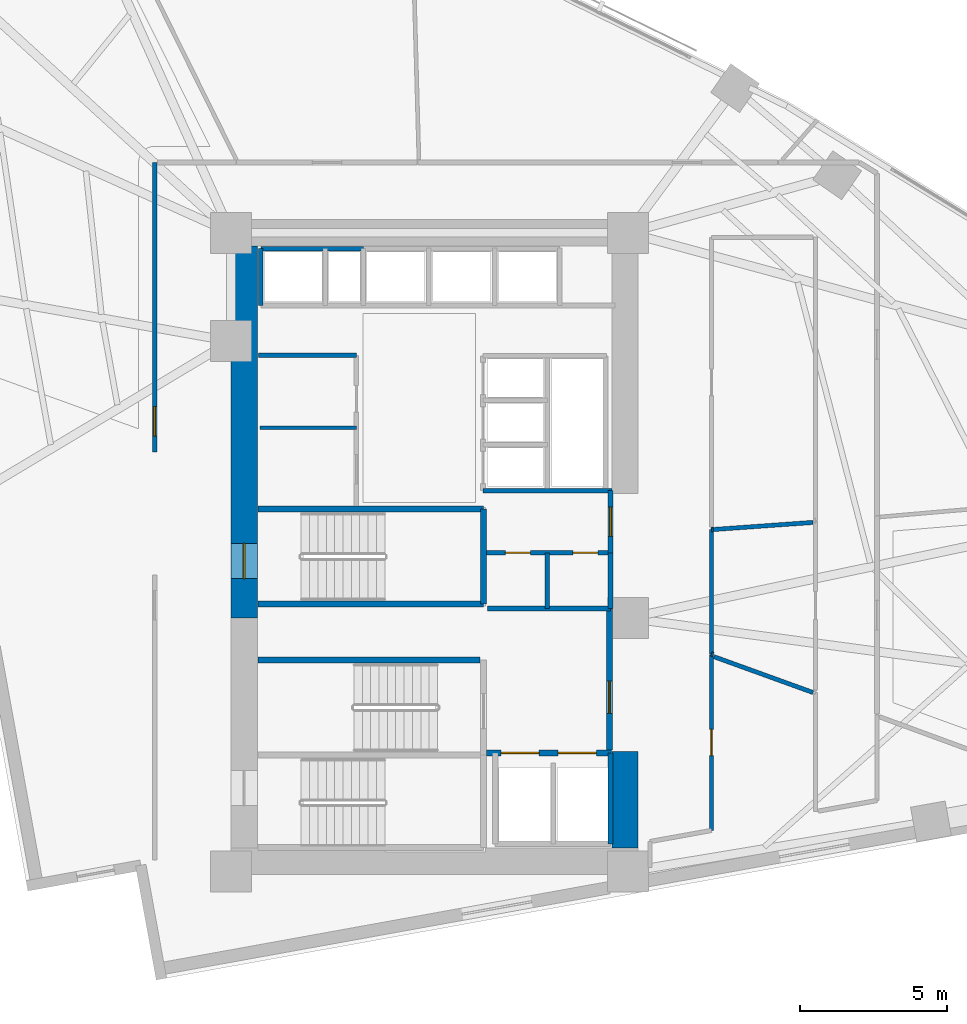
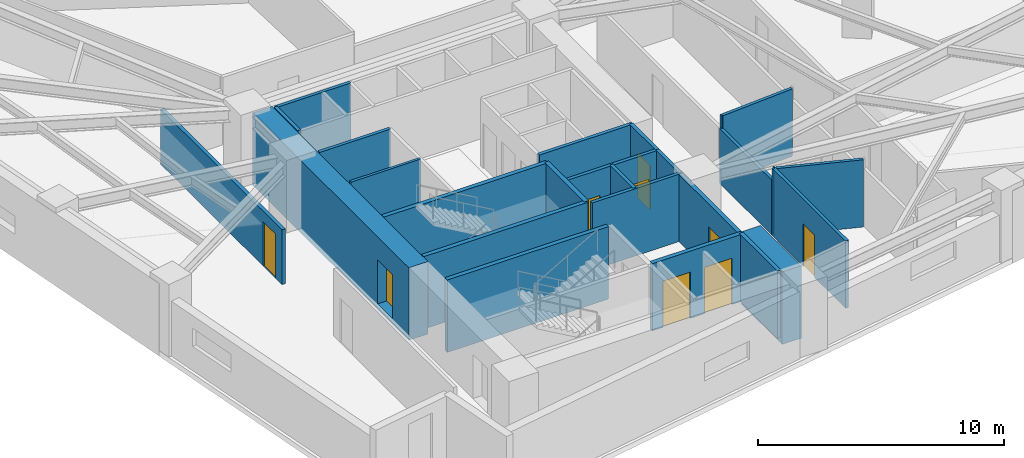
# One storey, part 13 of 18: 26 walls, 9 doors, 9 openings.
"""IFC4 building model written with IfcOpenShell, lengths in metres."""

from ifc_helpers import new_model, si_unit, direction, frame, frame_2d, origin, place, context, subcontext, project, spatial, rectangle, extrude, material, layer, layer_set, type_object, element, fill, save


model = new_model("IFC4")

# Units and contexts
model_context = context("Model", 3, precision=1e-05, world=origin(), true_north=direction((0.0, 1.0)))
body_context = subcontext(model_context, "Body", "Model", "MODEL_VIEW")
ifc_project = project(units=[si_unit("LENGTHUNIT", "METRE"), si_unit("AREAUNIT", "SQUARE_METRE"), si_unit("VOLUMEUNIT", "CUBIC_METRE"), si_unit("PLANEANGLEUNIT", "RADIAN"), si_unit("MASSUNIT", "GRAM", prefix="KILO")], contexts=[model_context])

# Site, building, storey
site_placement = place(None, origin())
site = spatial("IfcSite", under=ifc_project, at=site_placement, CompositionType="ELEMENT")
building_placement = place(site_placement, origin())
building = spatial("IfcBuilding", under=site, at=building_placement, Name="Narakoshi Arena Tower", CompositionType="ELEMENT")
storey_placement = place(building_placement, frame((0.0, 0.0, 120.89990234375)))
storey = spatial("IfcBuildingStorey", under=building, at=storey_placement, Name="L32", CompositionType="ELEMENT", Elevation=120.89990234375)

# Wall
ifc_material_1 = material(Name="Concrete C60/75", Category="concrete")
ifc_layer_1 = layer(ifc_material_1, 0.89990234375)
ifc_layer_set_1 = layer_set([ifc_layer_1], Name="Concrete C60/75")
wall_type_1 = type_object("IfcWallType", Name="WL-CORE-900", PredefinedType="SHEAR", material=ifc_layer_set_1)
wall_1_placement = place(storey_placement, frame((85.449951171875, 35.5, -0.260009765625), z_axis=(0.0, 0.0, 1.0), x_axis=(0.0, 1.0, 0.0)))
element("IfcWall", 1, at=wall_1_placement, inside=storey, type_object=wall_type_1, Name="L32 Central Core Shear Wall CW-APX-E", PredefinedType="SHEAR", context=body_context, shape_type="SweptSolid", body=[
    extrude(rectangle(XDim=3.300048828125, YDim=0.89990234375, at=frame_2d((1.64990234375, 0.0))), origin(), (0.0, 0.0, 1.0), 3.60009765625),
])

# Wall, opening, door
wall_2_placement = place(storey_placement, frame((72.449951171875, 43.35009765625, -0.260009765625), z_axis=(0.0, 0.0, 1.0), x_axis=(0.0, 1.0, 0.0)))
wall_2 = element("IfcWall", 2, at=wall_2_placement, inside=storey, type_object=wall_type_1, Name="L32 Main Core Shear Wall CW-MN-W", PredefinedType="SHEAR", context=body_context, shape_type="SweptSolid", body=[
    extrude(rectangle(XDim=12.699951171875, YDim=0.89990234375, at=frame_2d((6.35009765625, 0.0))), origin(), (0.0, 0.0, 1.0), 3.60009765625),
])
opening_1_placement = place(wall_2_placement, frame((1.35009765625, 0.0, 0.260009765625)))
opening_1 = element("IfcOpeningElement", 3, at=opening_1_placement, cuts=wall_2, Name="Opening D-03", PredefinedType="OPENING", context=body_context, shape_type="SweptSolid", body=[
    extrude(rectangle(XDim=1.199951171875, YDim=2.199951171875, at=frame_2d((0.60009765625, 1.10009765625))), frame((0.0, 0.4599609375, 0.0), z_axis=(0.0, -1.0, 0.0), x_axis=(1.0, 0.0, 0.0)), (0.0, 0.0, 1.0), 0.919921875),
])
ifc_material_2 = material(Name="Painted galvanized steel", Category="steel")
door_type_1 = type_object("IfcDoorType", Name="DR-STR-1200", OperationType="NOTDEFINED", PredefinedType="USERDEFINED", material=ifc_material_2)
door_1_placement = place(opening_1_placement, frame((1.199951171875, 0.0, 0.0), z_axis=(0.0, 0.0, 1.0), x_axis=(-1.0, 0.0, 0.0)))
door_1 = element("IfcDoor", 4, at=door_1_placement, inside=storey, type_object=door_type_1, Name="DR-L32-006", ObjectType="EXITDOOR", OperationType="SINGLE_SWING_LEFT", OverallHeight=2.199951171875, OverallWidth=1.199951171875, PredefinedType="USERDEFINED", context=body_context, shape_type="SweptSolid", body=[
    extrude(rectangle(XDim=1.199951171875, YDim=2.199951171875, at=frame_2d((0.60009765625, 1.10009765625))), frame((0.0, 0.02490234375, 0.0), z_axis=(0.0, -1.0, 0.0), x_axis=(1.0, 0.0, 0.0)), (0.0, 0.0, 1.0), 0.050048828125),
])
fill(opening_1, door_1)

ifc_material_3 = material(Name="Gypsum plasterboard fire-rated partition")
ifc_layer_2 = layer(ifc_material_3, 0.1650390625)
ifc_layer_set_2 = layer_set([ifc_layer_2], Name="Gypsum plasterboard fire-rated partition")
wall_type_2 = type_object("IfcWallType", Name="WL-CORR-165", PredefinedType="PARTITIONING", material=ifc_layer_set_2)
wall_3_placement = place(storey_placement, frame((84.949951171875, 45.580078125, 0.0), z_axis=(0.0, 0.0, 1.0), x_axis=(0.0, 1.0, 0.0)))
wall_3 = element("IfcWall", 5, at=wall_3_placement, inside=storey, type_object=wall_type_2, Name="L32 Core Wall CPAS-E", PredefinedType="PARTITIONING", context=body_context, shape_type="SweptSolid", body=[
    extrude(rectangle(XDim=2.119873046875, YDim=0.1650390625, at=frame_2d((1.06005859375, 0.0))), origin(), (0.0, 0.0, 1.0), 3.340087890625),
])
opening_2_placement = place(wall_3_placement, frame((0.56005859375, 0.0, 0.0)))
opening_2 = element("IfcOpeningElement", 6, at=opening_2_placement, cuts=wall_3, Name="Opening D-06", PredefinedType="OPENING", context=body_context, shape_type="SweptSolid", body=[
    extrude(rectangle(XDim=1.0, YDim=2.199951171875, at=frame_2d((0.5, 1.10009765625))), frame((0.0, 0.092529296875, 0.0), z_axis=(0.0, -1.0, 0.0), x_axis=(1.0, 0.0, 0.0)), (0.0, 0.0, 1.0), 0.18505859375),
])
ifc_material_4 = material(Name="Stained oak solid-core timber", Category="wood")
door_type_2 = type_object("IfcDoorType", Name="DR-OFF-1000", OperationType="NOTDEFINED", PredefinedType="DOOR", material=ifc_material_4)
door_2_placement = place(opening_2_placement, frame((1.0, 0.0, 0.0), z_axis=(0.0, 0.0, 1.0), x_axis=(-1.0, 0.0, 0.0)))
door_2 = element("IfcDoor", 7, at=door_2_placement, inside=storey, type_object=door_type_2, Name="DR-L32-007", OperationType="SINGLE_SWING_LEFT", OverallHeight=2.199951171875, OverallWidth=1.0, PredefinedType="DOOR", context=body_context, shape_type="SweptSolid", body=[
    extrude(rectangle(XDim=1.0, YDim=2.199951171875, at=frame_2d((0.5, 1.10009765625))), frame((0.0, 0.02490234375, 0.0), z_axis=(0.0, -1.0, 0.0), x_axis=(1.0, 0.0, 0.0)), (0.0, 0.0, 1.0), 0.050048828125),
])
fill(opening_2, door_2)

wall_4_placement = place(storey_placement, frame((69.39990234375, 58.89990234375, 0.0), z_axis=(0.0, 0.0, 1.0), x_axis=(0.0, -1.0, 0.0)))
wall_4 = element("IfcWall", 8, at=wall_4_placement, inside=storey, type_object=wall_type_2, Name="L32 Corridor Partition 09-1", PredefinedType="PARTITIONING", context=body_context, shape_type="SweptSolid", body=[
    extrude(rectangle(XDim=9.875, YDim=0.1650390625, at=frame_2d((4.9375, 0.0))), origin(), (0.0, 0.0, 1.0), 2.72509765625),
])
opening_3_placement = place(wall_4_placement, frame((8.336181640625, 0.0, 0.0)))
opening_3 = element("IfcOpeningElement", 9, at=opening_3_placement, cuts=wall_4, Name="Opening D-06", PredefinedType="OPENING", context=body_context, shape_type="SweptSolid", body=[
    extrude(rectangle(XDim=1.0, YDim=2.199951171875, at=frame_2d((0.5, 1.10009765625))), frame((0.0, 0.092529296875, 0.0), z_axis=(0.0, -1.0, 0.0), x_axis=(1.0, 0.0, 0.0)), (0.0, 0.0, 1.0), 0.18505859375),
])
door_3_placement = place(opening_3_placement, frame((1.0, 0.0, 0.0), z_axis=(0.0, 0.0, 1.0), x_axis=(-1.0, 0.0, 0.0)))
door_3 = element("IfcDoor", 10, at=door_3_placement, inside=storey, type_object=door_type_2, Name="DR-L32-023", OperationType="SINGLE_SWING_RIGHT", OverallHeight=2.199951171875, OverallWidth=1.0, PredefinedType="DOOR", context=body_context, shape_type="SweptSolid", body=[
    extrude(rectangle(XDim=1.0, YDim=2.199951171875, at=frame_2d((0.5, 1.10009765625))), frame((0.0, 0.02490234375, 0.0), z_axis=(0.0, -1.0, 0.0), x_axis=(1.0, 0.0, 0.0)), (0.0, 0.0, 1.0), 0.050048828125),
])
fill(opening_3, door_3)

# Walls
ifc_layer_3 = layer(ifc_material_3, 0.125)
ifc_layer_set_3 = layer_set([ifc_layer_3], Name="Gypsum plasterboard fire-rated partition")
wall_type_3 = type_object("IfcWallType", Name="WL-PART-125", PredefinedType="PARTITIONING", material=ifc_layer_set_3)
wall_5_placement = place(storey_placement, frame((73.0, 49.85009765625, 0.0), z_axis=(0.0, 0.0, 1.0), x_axis=(1.0, 0.0, 0.0)))
element("IfcWall", 11, at=wall_5_placement, inside=storey, type_object=wall_type_3, Name="L32 Core Wall RCL-LR-D0", PredefinedType="PARTITIONING", context=body_context, shape_type="SweptSolid", body=[
    extrude(rectangle(XDim=3.280029296875, YDim=0.125, at=frame_2d((1.64013671875, 0.0))), origin(), (0.0, 0.0, 1.0), 3.340087890625),
])
ifc_material_5 = material(Name="Concrete C40/50", Category="concrete")
ifc_layer_4 = layer(ifc_material_5, 0.280029296875)
ifc_layer_set_4 = layer_set([ifc_layer_4], Name="Concrete C40/50")
wall_type_4 = type_object("IfcWallType", Name="WL-RISER-280", PredefinedType="PLUMBINGWALL", material=ifc_layer_set_4)
wall_6_placement = place(storey_placement, frame((84.949951171875, 43.679931640625, 0.0), z_axis=(0.0, 0.0, 1.0), x_axis=(0.0, 1.0, 0.0)))
element("IfcWall", 12, at=wall_6_placement, inside=storey, type_object=wall_type_4, Name="L32 Core Wall RSR-E", PredefinedType="PLUMBINGWALL", context=body_context, shape_type="SweptSolid", body=[
    extrude(rectangle(XDim=1.900146484375, YDim=0.1650390625, at=frame_2d((0.9501953125, 0.0))), origin(), (0.0, 0.0, 1.0), 3.340087890625),
])

# Wall, openings, doors
wall_7_placement = place(storey_placement, frame((80.719970703125, 45.580078125, 0.0), z_axis=(0.0, 0.0, 1.0), x_axis=(1.0, 0.0, 0.0)))
wall_7 = element("IfcWall", 13, at=wall_7_placement, inside=storey, type_object=wall_type_4, Name="L32 Core Wall RSR-N", PredefinedType="PLUMBINGWALL", context=body_context, shape_type="SweptSolid", body=[
    extrude(rectangle(XDim=4.22998046875, YDim=0.159912109375, at=frame_2d((2.114990234375, 0.0))), origin(), (0.0, 0.0, 1.0), 3.340087890625),
])
opening_4_placement = place(wall_7_placement, frame((0.64990234375, 0.0, 0.0)))
opening_4 = element("IfcOpeningElement", 14, at=opening_4_placement, cuts=wall_7, Name="Opening D-10", PredefinedType="OPENING", context=body_context, shape_type="SweptSolid", body=[
    extrude(rectangle(XDim=0.85009765625, YDim=2.050048828125, at=frame_2d((0.425048828125, 1.02490234375))), frame((0.0, 0.08984375, 0.0), z_axis=(0.0, -1.0, 0.0), x_axis=(1.0, 0.0, 0.0)), (0.0, 0.0, 1.0), 0.179931640625),
])
opening_5_placement = place(wall_7_placement, frame((2.949951171875, 0.0, 0.0)))
opening_5 = element("IfcOpeningElement", 15, at=opening_5_placement, cuts=wall_7, Name="Opening D-10", PredefinedType="OPENING", context=body_context, shape_type="SweptSolid", body=[
    extrude(rectangle(XDim=0.85009765625, YDim=2.050048828125, at=frame_2d((0.425048828125, 1.02490234375))), frame((0.0, 0.08984375, 0.0), z_axis=(0.0, -1.0, 0.0), x_axis=(1.0, 0.0, 0.0)), (0.0, 0.0, 1.0), 0.179931640625),
])
door_type_3 = type_object("IfcDoorType", Name="DR-RSR-850", OperationType="NOTDEFINED", PredefinedType="DOOR", material=ifc_material_2)
door_4_placement = place(opening_4_placement, frame((0.85009765625, 0.0, 0.0), z_axis=(0.0, 0.0, 1.0), x_axis=(-1.0, 0.0, 0.0)))
door_4 = element("IfcDoor", 16, at=door_4_placement, inside=storey, type_object=door_type_3, Name="DR-L32-008", OperationType="SINGLE_SWING_LEFT", OverallHeight=2.050048828125, OverallWidth=0.85009765625, PredefinedType="DOOR", context=body_context, shape_type="SweptSolid", body=[
    extrude(rectangle(XDim=0.85009765625, YDim=2.050048828125, at=frame_2d((0.425048828125, 1.02490234375))), frame((0.0, 0.02490234375, 0.0), z_axis=(0.0, -1.0, 0.0), x_axis=(1.0, 0.0, 0.0)), (0.0, 0.0, 1.0), 0.050048828125),
])
fill(opening_4, door_4)
door_5_placement = place(opening_5_placement, frame((0.85009765625, 0.0, 0.0), z_axis=(0.0, 0.0, 1.0), x_axis=(-1.0, 0.0, 0.0)))
door_5 = element("IfcDoor", 17, at=door_5_placement, inside=storey, type_object=door_type_3, Name="DR-L32-009", OperationType="SINGLE_SWING_RIGHT", OverallHeight=2.050048828125, OverallWidth=0.85009765625, PredefinedType="DOOR", context=body_context, shape_type="SweptSolid", body=[
    extrude(rectangle(XDim=0.85009765625, YDim=2.050048828125, at=frame_2d((0.425048828125, 1.02490234375))), frame((0.0, 0.02490234375, 0.0), z_axis=(0.0, -1.0, 0.0), x_axis=(1.0, 0.0, 0.0)), (0.0, 0.0, 1.0), 0.050048828125),
])
fill(opening_5, door_5)

# Walls
wall_8_placement = place(storey_placement, frame((80.760009765625, 43.679931640625, 0.0), z_axis=(0.0, 0.0, 1.0), x_axis=(1.0, 0.0, 0.0)))
element("IfcWall", 18, at=wall_8_placement, inside=storey, type_object=wall_type_4, Name="L32 Core Wall RSR-S", PredefinedType="PLUMBINGWALL", context=body_context, shape_type="SweptSolid", body=[
    extrude(rectangle(XDim=4.18994140625, YDim=0.159912109375, at=frame_2d((2.094970703125, 0.0))), origin(), (0.0, 0.0, 1.0), 3.340087890625),
])
wall_9_placement = place(storey_placement, frame((82.800048828125, 43.679931640625, 0.0), z_axis=(0.0, 0.0, 1.0), x_axis=(0.0, 1.0, 0.0)))
element("IfcWall", 19, at=wall_9_placement, inside=storey, type_object=wall_type_4, Name="L32 Core Wall RSR-M", PredefinedType="PLUMBINGWALL", context=body_context, shape_type="SweptSolid", body=[
    extrude(rectangle(XDim=1.900146484375, YDim=0.159912109375, at=frame_2d((0.9501953125, 0.0))), origin(), (0.0, 0.0, 1.0), 3.340087890625),
])
wall_10_placement = place(storey_placement, frame((73.02001953125, 54.02001953125, 0.0), z_axis=(0.0, 0.0, 1.0), x_axis=(0.0, 1.0, 0.0)))
element("IfcWall", 20, at=wall_10_placement, inside=storey, type_object=wall_type_4, Name="L32 Core Wall OBS-W", PredefinedType="PLUMBINGWALL", context=body_context, shape_type="SweptSolid", body=[
    extrude(rectangle(XDim=1.93994140625, YDim=0.14990234375, at=frame_2d((0.969970703125, 0.0))), origin(), (0.0, 0.0, 1.0), 3.340087890625),
])

# Wall, openings, doors
ifc_material_6 = material(Name="Concrete C50/60", Category="concrete")
ifc_layer_5 = layer(ifc_material_6, 0.35009765625)
ifc_layer_set_5 = layer_set([ifc_layer_5], Name="Concrete C50/60")
wall_type_5 = type_object("IfcWallType", Name="WL-SHAFT-350", PredefinedType="SOLIDWALL", material=ifc_layer_set_5)
wall_11_placement = place(storey_placement, frame((80.719970703125, 38.75, 0.0), z_axis=(0.0, 0.0, 1.0), x_axis=(1.0, 0.0, 0.0)))
wall_11 = element("IfcWall", 21, at=wall_11_placement, inside=storey, type_object=wall_type_5, Name="L32 Core Wall FF-N", PredefinedType="SOLIDWALL", context=body_context, shape_type="SweptSolid", body=[
    extrude(rectangle(XDim=4.260009765625, YDim=0.199951171875, at=frame_2d((2.1298828125, 0.0))), origin(), (0.0, 0.0, 1.0), 3.340087890625),
])
opening_6_placement = place(wall_11_placement, frame((0.5, 0.0, 0.0)))
opening_6 = element("IfcOpeningElement", 22, at=opening_6_placement, cuts=wall_11, Name="Opening LD-02", PredefinedType="OPENING", context=body_context, shape_type="SweptSolid", body=[
    extrude(rectangle(XDim=1.300048828125, YDim=2.300048828125, at=frame_2d((0.64990234375, 1.14990234375))), frame((0.0, 0.10986328125, 0.0), z_axis=(0.0, -1.0, 0.0), x_axis=(1.0, 0.0, 0.0)), (0.0, 0.0, 1.0), 0.219970703125),
])
opening_7_placement = place(wall_11_placement, frame((2.449951171875, 0.0, 0.0)))
opening_7 = element("IfcOpeningElement", 23, at=opening_7_placement, cuts=wall_11, Name="Opening LD-02", PredefinedType="OPENING", context=body_context, shape_type="SweptSolid", body=[
    extrude(rectangle(XDim=1.300048828125, YDim=2.300048828125, at=frame_2d((0.64990234375, 1.14990234375))), frame((0.0, 0.10986328125, 0.0), z_axis=(0.0, -1.0, 0.0), x_axis=(1.0, 0.0, 0.0)), (0.0, 0.0, 1.0), 0.219970703125),
])
ifc_material_7 = material(Name="Brushed bronze stainless steel", Category="steel")
door_type_4 = type_object("IfcDoorType", Name="DR-LFT-1300", OperationType="DOUBLE_DOOR_SLIDING", PredefinedType="DOOR", material=ifc_material_7)
door_6_placement = place(opening_6_placement, origin())
door_6 = element("IfcDoor", 24, at=door_6_placement, inside=storey, type_object=door_type_4, Name="DR-L32-003", OperationType="DOUBLE_DOOR_SLIDING", OverallHeight=2.300048828125, OverallWidth=1.300048828125, PredefinedType="DOOR", context=body_context, shape_type="SweptSolid", body=[
    extrude(rectangle(XDim=1.300048828125, YDim=2.300048828125, at=frame_2d((0.64990234375, 1.14990234375))), frame((0.0, 0.02490234375, 0.0), z_axis=(0.0, -1.0, 0.0), x_axis=(1.0, 0.0, 0.0)), (0.0, 0.0, 1.0), 0.050048828125),
])
fill(opening_6, door_6)
door_7_placement = place(opening_7_placement, origin())
door_7 = element("IfcDoor", 25, at=door_7_placement, inside=storey, type_object=door_type_4, Name="DR-L32-004", OperationType="DOUBLE_DOOR_SLIDING", OverallHeight=2.300048828125, OverallWidth=1.300048828125, PredefinedType="DOOR", context=body_context, shape_type="SweptSolid", body=[
    extrude(rectangle(XDim=1.300048828125, YDim=2.300048828125, at=frame_2d((0.64990234375, 1.14990234375))), frame((0.0, 0.02490234375, 0.0), z_axis=(0.0, -1.0, 0.0), x_axis=(1.0, 0.0, 0.0)), (0.0, 0.0, 1.0), 0.050048828125),
])
fill(opening_7, door_7)

# Wall
wall_12_placement = place(storey_placement, frame((84.949951171875, 35.64990234375, 0.0), z_axis=(0.0, 0.0, 1.0), x_axis=(0.0, 1.0, 0.0)))
element("IfcWall", 26, at=wall_12_placement, inside=storey, type_object=wall_type_5, Name="L32 Core Wall FF-E", PredefinedType="SOLIDWALL", context=body_context, shape_type="SweptSolid", body=[
    extrude(rectangle(XDim=3.10009765625, YDim=0.179931640625, at=frame_2d((1.550048828125, 0.0))), origin(), (0.0, 0.0, 1.0), 3.340087890625),
])

# Wall, opening, door
wall_13_placement = place(storey_placement, frame((84.919921875, 38.85009765625, 0.0), z_axis=(0.0, 0.0, 1.0), x_axis=(0.0, 1.0, 0.0)))
wall_13 = element("IfcWall", 27, at=wall_13_placement, inside=storey, type_object=wall_type_5, Name="L32 Core Wall FFLOB-E", PredefinedType="SOLIDWALL", context=body_context, shape_type="SweptSolid", body=[
    extrude(rectangle(XDim=4.829833984375, YDim=0.199951171875, at=frame_2d((2.4150390625, 0.0))), origin(), (0.0, 0.0, 1.0), 3.340087890625),
])
opening_8_placement = place(wall_13_placement, frame((1.25, 0.0, 0.0)))
opening_8 = element("IfcOpeningElement", 28, at=opening_8_placement, cuts=wall_13, Name="Opening D-04", PredefinedType="OPENING", context=body_context, shape_type="SweptSolid", body=[
    extrude(rectangle(XDim=1.10009765625, YDim=2.199951171875, at=frame_2d((0.550048828125, 1.10009765625))), frame((0.0, 0.10986328125, 0.0), z_axis=(0.0, -1.0, 0.0), x_axis=(1.0, 0.0, 0.0)), (0.0, 0.0, 1.0), 0.219970703125),
])
door_type_5 = type_object("IfcDoorType", Name="DR-FFL-1100", OperationType="NOTDEFINED", PredefinedType="DOOR", material=ifc_material_2)
door_8_placement = place(opening_8_placement, frame((1.10009765625, 0.0, 0.0), z_axis=(0.0, 0.0, 1.0), x_axis=(-1.0, 0.0, 0.0)))
door_8 = element("IfcDoor", 29, at=door_8_placement, inside=storey, type_object=door_type_5, Name="DR-L32-005", OperationType="SINGLE_SWING_RIGHT", OverallHeight=2.199951171875, OverallWidth=1.10009765625, PredefinedType="DOOR", context=body_context, shape_type="SweptSolid", body=[
    extrude(rectangle(XDim=1.10009765625, YDim=2.199951171875, at=frame_2d((0.550048828125, 1.10009765625))), frame((0.0, 0.02490234375, 0.0), z_axis=(0.0, -1.0, 0.0), x_axis=(1.0, 0.0, 0.0)), (0.0, 0.0, 1.0), 0.050048828125),
])
fill(opening_8, door_8)

# Walls
wall_14_placement = place(storey_placement, frame((72.919921875, 41.919921875, -0.260009765625), z_axis=(0.0, 0.0, 1.0), x_axis=(1.0, 0.0, 0.0)))
element("IfcWall", 30, at=wall_14_placement, inside=storey, type_object=wall_type_5, Name="L32 Core Wall ST2-N", PredefinedType="SOLIDWALL", context=body_context, shape_type="SweptSolid", body=[
    extrude(rectangle(XDim=7.580078125, YDim=0.199951171875, at=frame_2d((3.7900390625, 0.0))), origin(), (0.0, 0.0, 1.0), 3.60009765625),
])
for number, where, z_axis, x_axis, name in (
    (31, (72.919921875, 43.830078125, -0.260009765625), (0.0, 0.0, 1.0), (1.0, 0.0, 0.0), "L32 Core Wall ST3-S"),
    (32, (72.919921875, 47.070068359375, -0.260009765625), (0.0, 0.0, 1.0), (1.0, 0.0, 0.0), "L32 Core Wall ST3-N"),
):
    element("IfcWall", number, at=place(storey_placement, frame(where, z_axis=z_axis, x_axis=x_axis)), inside=storey, type_object=wall_type_5, Name=name, PredefinedType="SOLIDWALL", context=body_context, shape_type="SweptSolid", body=[
        extrude(rectangle(XDim=7.7001953125, YDim=0.199951171875, at=frame_2d((3.85009765625, 0.0))), origin(), (0.0, 0.0, 1.0), 3.60009765625),
    ])
wall_15_placement = place(storey_placement, frame((80.6201171875, 43.830078125, -0.260009765625), z_axis=(0.0, 0.0, 1.0), x_axis=(0.0, 1.0, 0.0)))
element("IfcWall", 33, at=wall_15_placement, inside=storey, type_object=wall_type_5, Name="L32 Core Wall ST3-E", PredefinedType="SOLIDWALL", context=body_context, shape_type="SweptSolid", body=[
    extrude(rectangle(XDim=3.239990234375, YDim=0.199951171875, at=frame_2d((1.6201171875, 0.0))), origin(), (0.0, 0.0, 1.0), 3.60009765625),
])
wall_16_placement = place(storey_placement, frame((72.949951171875, 52.320068359375, 0.0), z_axis=(0.0, 0.0, 1.0), x_axis=(1.0, 0.0, 0.0)))
element("IfcWall", 34, at=wall_16_placement, inside=storey, type_object=wall_type_5, Name="L32 Core Wall LR-N", PredefinedType="SOLIDWALL", context=body_context, shape_type="SweptSolid", body=[
    extrude(rectangle(XDim=3.330078125, YDim=0.14990234375, at=frame_2d((1.6650390625, 0.0))), origin(), (0.0, 0.0, 1.0), 3.340087890625),
])
wall_17_placement = place(storey_placement, frame((80.60009765625, 47.699951171875, 0.0), z_axis=(0.0, 0.0, 1.0), x_axis=(1.0, 0.0, 0.0)))
element("IfcWall", 35, at=wall_17_placement, inside=storey, type_object=wall_type_5, Name="L32 Core Wall MR-S", PredefinedType="SOLIDWALL", context=body_context, shape_type="SweptSolid", body=[
    extrude(rectangle(XDim=4.39990234375, YDim=0.159912109375, at=frame_2d((2.199951171875, 0.0))), origin(), (0.0, 0.0, 1.0), 3.340087890625),
])
wall_18_placement = place(storey_placement, frame((73.02001953125, 55.9599609375, 0.0), z_axis=(0.0, 0.0, 1.0), x_axis=(1.0, 0.0, 0.0)))
element("IfcWall", 36, at=wall_18_placement, inside=storey, type_object=wall_type_5, Name="L32 Core Wall OBS-N", PredefinedType="SOLIDWALL", context=body_context, shape_type="SweptSolid", body=[
    extrude(rectangle(XDim=3.5, YDim=0.14990234375, at=frame_2d((1.75, 0.0))), origin(), (0.0, 0.0, 1.0), 3.340087890625),
])

# Wall, opening, door
ifc_material_8 = material(Name="Moisture-resistant cement-board partition")
ifc_layer_6 = layer(ifc_material_8, 0.14501953125)
ifc_layer_set_6 = layer_set([ifc_layer_6], Name="Moisture-resistant cement-board partition")
wall_type_6 = type_object("IfcWallType", Name="WL-WET-145", PredefinedType="PARTITIONING", material=ifc_layer_set_6)
wall_19_placement = place(storey_placement, frame((88.39990234375, 36.10400390625, 0.0), z_axis=(0.0, 0.0, 1.0), x_axis=(0.0, 1.0, 0.0)))
wall_19 = element("IfcWall", 37, at=wall_19_placement, inside=storey, type_object=wall_type_6, Name="L32 Corridor Partition 02-1", PredefinedType="PARTITIONING", context=body_context, shape_type="SweptSolid", body=[
    extrude(rectangle(XDim=5.99853515625, YDim=0.14501953125, at=frame_2d((2.999267578125, 0.0))), origin(), (0.0, 0.0, 1.0), 3.340087890625),
])
opening_9_placement = place(wall_19_placement, frame((2.54931640625, 0.0, 0.0)))
opening_9 = element("IfcOpeningElement", 38, at=opening_9_placement, cuts=wall_19, Name="Opening D-08", PredefinedType="OPENING", context=body_context, shape_type="SweptSolid", body=[
    extrude(rectangle(XDim=0.89990234375, YDim=2.10009765625, at=frame_2d((0.449951171875, 1.050048828125))), frame((0.0, 0.08251953125, 0.0), z_axis=(0.0, -1.0, 0.0), x_axis=(1.0, 0.0, 0.0)), (0.0, 0.0, 1.0), 0.1650390625),
])
ifc_material_9 = material(Name="Moisture-resistant laminate timber", Category="wood")
door_type_6 = type_object("IfcDoorType", Name="DR-WC-900", OperationType="NOTDEFINED", PredefinedType="DOOR", material=ifc_material_9)
door_9_placement = place(opening_9_placement, frame((0.89990234375, 0.0, 0.0), z_axis=(0.0, 0.0, 1.0), x_axis=(-1.0, 0.0, 0.0)))
door_9 = element("IfcDoor", 39, at=door_9_placement, inside=storey, type_object=door_type_6, Name="DR-L32-016", OperationType="SINGLE_SWING_LEFT", OverallHeight=2.10009765625, OverallWidth=0.89990234375, PredefinedType="DOOR", context=body_context, shape_type="SweptSolid", body=[
    extrude(rectangle(XDim=0.89990234375, YDim=2.10009765625, at=frame_2d((0.449951171875, 1.050048828125))), frame((0.0, 0.02490234375, 0.0), z_axis=(0.0, -1.0, 0.0), x_axis=(1.0, 0.0, 0.0)), (0.0, 0.0, 1.0), 0.050048828125),
])
fill(opening_9, door_9)

# Walls
wall_20_placement = place(storey_placement, frame((88.484619140625, 42.03369140625, 0.0), z_axis=(0.0, 0.0, 1.0), x_axis=(0.940329543341, -0.340265117106, 0.0)))
element("IfcWall", 40, at=wall_20_placement, inside=storey, type_object=wall_type_6, Name="L32 Inter-Room Partition 02-03", PredefinedType="PARTITIONING", context=body_context, shape_type="SweptSolid", body=[
    extrude(rectangle(XDim=3.595458984375, YDim=0.14501953125, at=frame_2d((1.7978515625, 0.0))), origin(), (0.0, 0.0, 1.0), 3.340087890625),
])
wall_21_placement = place(storey_placement, frame((88.39990234375, 42.128173828125, 0.0), z_axis=(0.0, 0.0, 1.0), x_axis=(0.0, 1.0, 0.0)))
element("IfcWall", 41, at=wall_21_placement, inside=storey, type_object=wall_type_6, Name="L32 Corridor Partition 03-2", PredefinedType="PARTITIONING", context=body_context, shape_type="SweptSolid", body=[
    extrude(rectangle(XDim=4.24072265625, YDim=0.14501953125, at=frame_2d((2.120361328125, 0.0))), origin(), (0.0, 0.0, 1.0), 2.72509765625),
])
wall_22_placement = place(storey_placement, frame((88.4599609375, 42.1064453125, 0.0), z_axis=(0.0, 0.0, 1.0), x_axis=(-0.940350208768, 0.340208002359, 0.0)))
element("IfcWall", 42, at=wall_22_placement, inside=storey, type_object=wall_type_6, Name="L32 Corridor Partition 03-3", PredefinedType="PARTITIONING", context=body_context, shape_type="SweptSolid", body=[
    extrude(rectangle(XDim=0.06396484375, YDim=0.14501953125, at=frame_2d((0.031982421875, 0.0))), origin(), (0.0, 0.0, 1.0), 3.340087890625),
])
wall_23_placement = place(storey_placement, frame((88.39990234375, 46.368896484375, 0.0), z_axis=(0.0, 0.0, 1.0), x_axis=(0.996711382833, 0.081033445759, 0.0)))
element("IfcWall", 43, at=wall_23_placement, inside=storey, type_object=wall_type_6, Name="L32 Corridor Partition 03-4", PredefinedType="PARTITIONING", context=body_context, shape_type="SweptSolid", body=[
    extrude(rectangle(XDim=0.060302734375, YDim=0.14501953125, at=frame_2d((0.0302734375, 0.0))), origin(), (0.0, 0.0, 1.0), 3.340087890625),
])
wall_24_placement = place(storey_placement, frame((88.460205078125, 46.373046875, 0.0), z_axis=(0.0, 0.0, 1.0), x_axis=(0.997475371103, 0.071013266669, 0.0)))
element("IfcWall", 44, at=wall_24_placement, inside=storey, type_object=wall_type_6, Name="L32 Inter-Room Partition 03-06", PredefinedType="PARTITIONING", context=body_context, shape_type="SweptSolid", body=[
    extrude(rectangle(XDim=3.413818359375, YDim=0.14501953125, at=frame_2d((1.70703125, 0.0))), origin(), (0.0, 0.0, 1.0), 3.340087890625),
])

save(model, "model.ifc")
